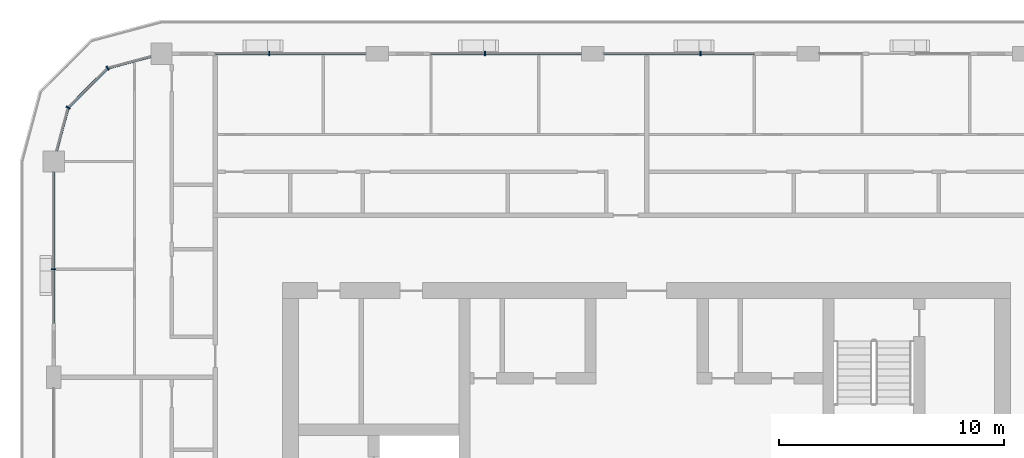
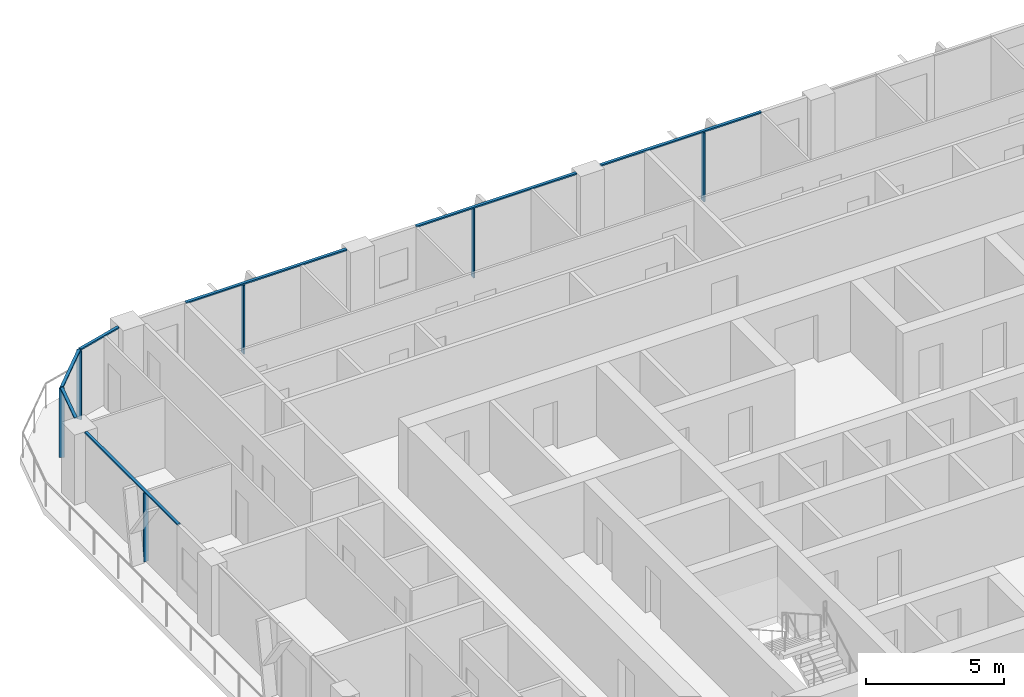
# One storey, part 5 of 22: 13 members, 5 elements without a shape of their own.
"""IFC4 building model written with IfcOpenShell, lengths in metres."""

from ifc_helpers import new_model, si_unit, direction, frame, origin, origin_2d, place, context, subcontext, project, spatial, rectangle, extrude, material, layer, layer_set, material_profile, profile_set, type_object, element, aggregate, save


model = new_model("IFC4")

# Units and contexts
model_context = context("Model", 3, precision=1e-05, world=origin(), true_north=direction((0.0, 1.0)))
body_context = subcontext(model_context, "Body", "Model", "MODEL_VIEW")
ifc_project = project(units=[si_unit("LENGTHUNIT", "METRE"), si_unit("AREAUNIT", "SQUARE_METRE"), si_unit("VOLUMEUNIT", "CUBIC_METRE"), si_unit("PLANEANGLEUNIT", "RADIAN"), si_unit("MASSUNIT", "GRAM", prefix="KILO")], contexts=[model_context])

# Site, building, storey
site_placement = place(None, origin())
site = spatial("IfcSite", under=ifc_project, at=site_placement, CompositionType="ELEMENT")
building_placement = place(site_placement, origin())
building = spatial("IfcBuilding", under=site, at=building_placement, Name="Madar Terraces", CompositionType="ELEMENT")
storey_placement = place(building_placement, frame((0.0, 0.0, 199.89990234375)))
storey = spatial("IfcBuildingStorey", under=building, at=storey_placement, Name="L52", CompositionType="ELEMENT", Elevation=199.89990234375)

# Curtain wall, member
ifc_material_1 = material(Name="Glass, ceramic frit dark grey, with black aluminium frame", Category="aluminium")
ifc_layer = layer(ifc_material_1, 0.199951171875)
ifc_layer_set = layer_set([ifc_layer], Name="Facade curtain wall, fritted glass")
curtain_wall_type = type_object("IfcCurtainWallType", Name="Facade curtain wall, fritted glass", PredefinedType="NOTDEFINED", material=ifc_layer_set)
curtain_wall_1_placement = place(storey_placement, origin())
curtain_wall_1 = element("IfcCurtainWall", 1, at=curtain_wall_1_placement, inside=storey, type_object=curtain_wall_type, Name="Outer skin curtain wall north bay 3", PredefinedType="NOTDEFINED")
ifc_material_2 = material(Name="Aluminium, black anodised", Category="aluminium")
ifc_material_profile_1 = material_profile(ifc_material_2, rectangle(XDim=0.199951171875, YDim=0.06005859375, at=origin_2d()), Name="Facade mullion 60x200")
ifc_profile_set_1 = profile_set([ifc_material_profile_1], Name="Aluminium, black anodised")
member_type_1 = type_object("IfcMemberType", Name="Facade mullion 60x200", PredefinedType="MULLION", material=ifc_profile_set_1)
member_1_placement = place(storey_placement, frame((33.60009765625, 48.0, 0.0), z_axis=(0.0, 0.0, 1.0), x_axis=(0.0, -1.0, 0.0)))
member_1 = element("IfcMember", 2, at=member_1_placement, type_object=member_type_1, Name="Mullion 1", PredefinedType="MULLION", context=body_context, shape_type="SweptSolid", body=[
    extrude(rectangle(XDim=0.199951171875, YDim=0.06005859375, at=origin_2d()), origin(), (0.0, 0.0, 1.0), 3.0400390625),
])

curtain_wall_2_placement = place(storey_placement, origin())
curtain_wall_2 = element("IfcCurtainWall", 3, at=curtain_wall_2_placement, inside=storey, type_object=curtain_wall_type, Name="Outer skin curtain wall north bay 4", PredefinedType="NOTDEFINED")
member_2_placement = place(storey_placement, frame((24.0, 48.0, 0.0), z_axis=(0.0, 0.0, 1.0), x_axis=(0.0, -1.0, 0.0)))
member_2 = element("IfcMember", 4, at=member_2_placement, type_object=member_type_1, Name="Mullion 1", PredefinedType="MULLION", context=body_context, shape_type="SweptSolid", body=[
    extrude(rectangle(XDim=0.199951171875, YDim=0.06005859375, at=origin_2d()), origin(), (0.0, 0.0, 1.0), 3.0400390625),
])

curtain_wall_3_placement = place(storey_placement, origin())
curtain_wall_3 = element("IfcCurtainWall", 5, at=curtain_wall_3_placement, inside=storey, type_object=curtain_wall_type, Name="Outer skin curtain wall north bay 5", PredefinedType="NOTDEFINED")
member_3_placement = place(storey_placement, frame((14.39990234375, 48.0, 0.0), z_axis=(0.0, 0.0, 1.0), x_axis=(0.0, -1.0, 0.0)))
member_3 = element("IfcMember", 6, at=member_3_placement, type_object=member_type_1, Name="Mullion 1", PredefinedType="MULLION", context=body_context, shape_type="SweptSolid", body=[
    extrude(rectangle(XDim=0.199951171875, YDim=0.06005859375, at=origin_2d()), origin(), (0.0, 0.0, 1.0), 3.0400390625),
])

curtain_wall_4_placement = place(storey_placement, origin())
curtain_wall_4 = element("IfcCurtainWall", 7, at=curtain_wall_4_placement, inside=storey, type_object=curtain_wall_type, Name="Outer skin curtain wall west bay 1", PredefinedType="NOTDEFINED")
member_4_placement = place(storey_placement, frame((4.800048828125, 38.39990234375, 0.0), z_axis=(0.0, 0.0, 1.0), x_axis=(1.0, 0.0, 0.0)))
member_4 = element("IfcMember", 8, at=member_4_placement, type_object=member_type_1, Name="Mullion 1", PredefinedType="MULLION", context=body_context, shape_type="SweptSolid", body=[
    extrude(rectangle(XDim=0.199951171875, YDim=0.06005859375, at=origin_2d()), origin(), (0.0, 0.0, 1.0), 3.0400390625),
])

# Curtain wall, members
curtain_wall_5_placement = place(storey_placement, origin())
curtain_wall_5 = element("IfcCurtainWall", 9, at=curtain_wall_5_placement, inside=storey, type_object=curtain_wall_type, Name="Outer skin curtain wall north-west corner", PredefinedType="NOTDEFINED")
member_5_placement = place(storey_placement, frame((7.199951171875, 47.35693359375, 0.0), z_axis=(0.0, 0.0, 1.0), x_axis=(0.499999989586, -0.866025409797, 0.0)))
member_5 = element("IfcMember", 10, at=member_5_placement, type_object=member_type_1, Name="Mullion 1", PredefinedType="MULLION", context=body_context, shape_type="SweptSolid", body=[
    extrude(rectangle(XDim=0.199951171875, YDim=0.06005859375, at=origin_2d()), origin(), (0.0, 0.0, 1.0), 3.0400390625),
])
member_6_placement = place(storey_placement, frame((5.443115234375, 45.60009765625, 0.0), z_axis=(0.0, 0.0, 1.0), x_axis=(0.866025409797, -0.499999989586, 0.0)))
member_6 = element("IfcMember", 11, at=member_6_placement, type_object=member_type_1, Name="Mullion 2", PredefinedType="MULLION", context=body_context, shape_type="SweptSolid", body=[
    extrude(rectangle(XDim=0.199951171875, YDim=0.06005859375, at=origin_2d()), origin(), (0.0, 0.0, 1.0), 3.0400390625),
])

# Member
ifc_material_3 = material(Name="Aluminium, black anodised", Category="aluminium")
ifc_material_profile_2 = material_profile(ifc_material_3, rectangle(XDim=0.1201171875, YDim=0.06005859375, at=origin_2d()), Name="Facade transom 60x120")
ifc_profile_set_2 = profile_set([ifc_material_profile_2], Name="Aluminium, black anodised")
member_type_2 = type_object("IfcMemberType", Name="Facade transom 60x120", PredefinedType="USERDEFINED", material=ifc_profile_set_2)
member_7_placement = place(storey_placement, frame((36.0, 48.0, 3.070068359375), z_axis=(-1.0, 0.0, 0.0), x_axis=(0.0, -1.0, 0.0)))
member_7 = element("IfcMember", 12, at=member_7_placement, type_object=member_type_2, Name="Transom 1", ObjectType="TRANSOM", PredefinedType="USERDEFINED", context=body_context, shape_type="SweptSolid", body=[
    extrude(rectangle(XDim=0.1201171875, YDim=0.06005859375, at=origin_2d()), origin(), (0.0, 0.0, 1.0), 6.699951171875),
])

aggregate(curtain_wall_1, [member_1, member_7])

member_8_placement = place(storey_placement, frame((28.300048828125, 48.0, 3.070068359375), z_axis=(-1.0, 0.0, 0.0), x_axis=(0.0, -1.0, 0.0)))
member_8 = element("IfcMember", 13, at=member_8_placement, type_object=member_type_2, Name="Transom 1", ObjectType="TRANSOM", PredefinedType="USERDEFINED", context=body_context, shape_type="SweptSolid", body=[
    extrude(rectangle(XDim=0.1201171875, YDim=0.06005859375, at=origin_2d()), origin(), (0.0, 0.0, 1.0), 6.699951171875),
])

aggregate(curtain_wall_2, [member_2, member_8])

member_9_placement = place(storey_placement, frame((18.699951171875, 48.0, 3.070068359375), z_axis=(-1.0, 0.0, 0.0), x_axis=(0.0, -1.0, 0.0)))
member_9 = element("IfcMember", 14, at=member_9_placement, type_object=member_type_2, Name="Transom 1", ObjectType="TRANSOM", PredefinedType="USERDEFINED", context=body_context, shape_type="SweptSolid", body=[
    extrude(rectangle(XDim=0.1201171875, YDim=0.06005859375, at=origin_2d()), origin(), (0.0, 0.0, 1.0), 6.699951171875),
])

aggregate(curtain_wall_3, [member_3, member_9])

member_10_placement = place(storey_placement, frame((4.800048828125, 42.72509765625, 3.070068359375), z_axis=(0.0, -1.0, 0.0), x_axis=(1.0, 0.0, 0.0)))
member_10 = element("IfcMember", 15, at=member_10_placement, type_object=member_type_2, Name="Transom 1", ObjectType="TRANSOM", PredefinedType="USERDEFINED", context=body_context, shape_type="SweptSolid", body=[
    extrude(rectangle(XDim=0.1201171875, YDim=0.06005859375, at=origin_2d()), origin(), (0.0, 0.0, 1.0), 6.72509765625),
])

aggregate(curtain_wall_4, [member_4, member_10])

member_11_placement = place(storey_placement, frame((9.125, 47.872802734375, 3.070068359375), z_axis=(-0.96592251241, -0.258831412352, 0.0), x_axis=(0.258831412352, -0.96592251241, 0.0)))
member_11 = element("IfcMember", 16, at=member_11_placement, type_object=member_type_2, Name="Transom 1", ObjectType="TRANSOM", PredefinedType="USERDEFINED", context=body_context, shape_type="SweptSolid", body=[
    extrude(rectangle(XDim=0.1201171875, YDim=0.06005859375, at=origin_2d()), origin(), (0.0, 0.0, 1.0), 1.962890625),
])

member_12_placement = place(storey_placement, frame((7.1787109375, 47.335693359375, 3.070068359375), z_axis=(-0.707056433593, -0.707157125196, 0.0), x_axis=(0.707157125196, -0.707056433593, 0.0)))
member_12 = element("IfcMember", 17, at=member_12_placement, type_object=member_type_2, Name="Transom 2", ObjectType="TRANSOM", PredefinedType="USERDEFINED", context=body_context, shape_type="SweptSolid", body=[
    extrude(rectangle(XDim=0.1201171875, YDim=0.06005859375, at=origin_2d()), origin(), (0.0, 0.0, 1.0), 2.424560546875),
])

member_13_placement = place(storey_placement, frame((5.435302734375, 45.571044921875, 3.070068359375), z_axis=(-0.258831412352, -0.96592251241, 0.0), x_axis=(0.96592251241, -0.258831412352, 0.0)))
member_13 = element("IfcMember", 18, at=member_13_placement, type_object=member_type_2, Name="Transom 3", ObjectType="TRANSOM", PredefinedType="USERDEFINED", context=body_context, shape_type="SweptSolid", body=[
    extrude(rectangle(XDim=0.1201171875, YDim=0.06005859375, at=origin_2d()), origin(), (0.0, 0.0, 1.0), 1.962890625),
])

aggregate(curtain_wall_5, [member_5, member_11, member_6, member_12, member_13])

save(model, "model.ifc")
